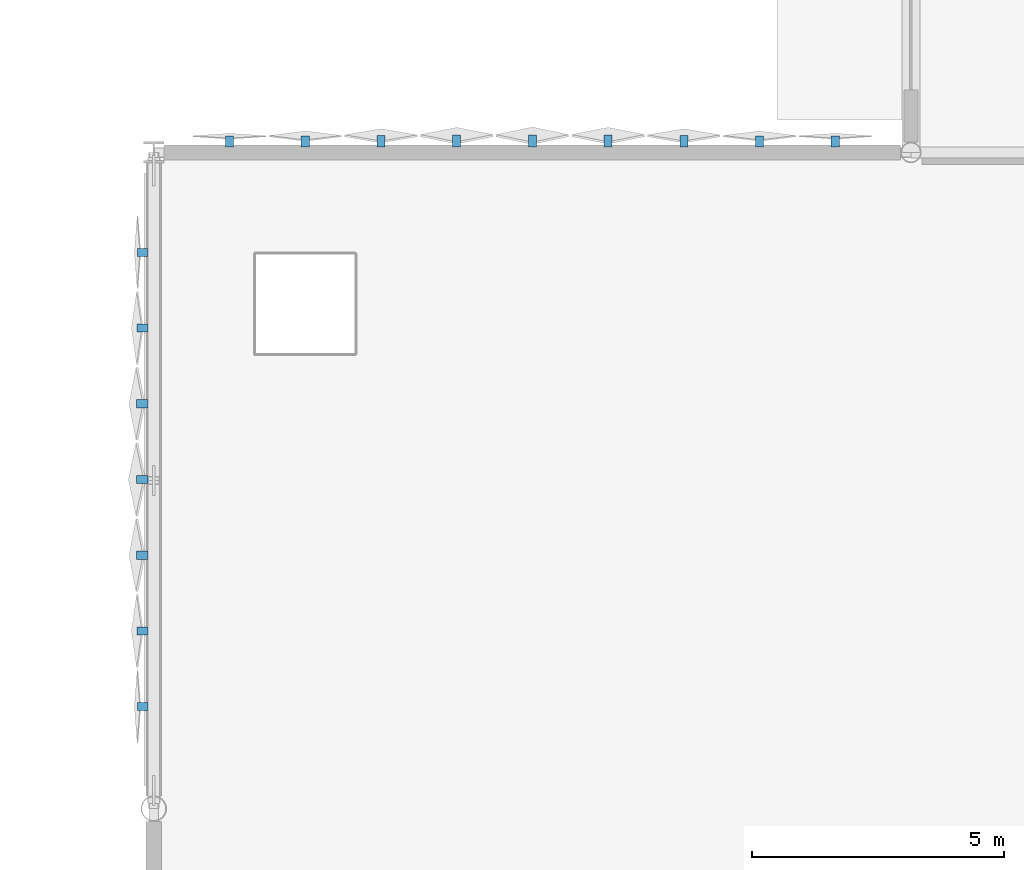
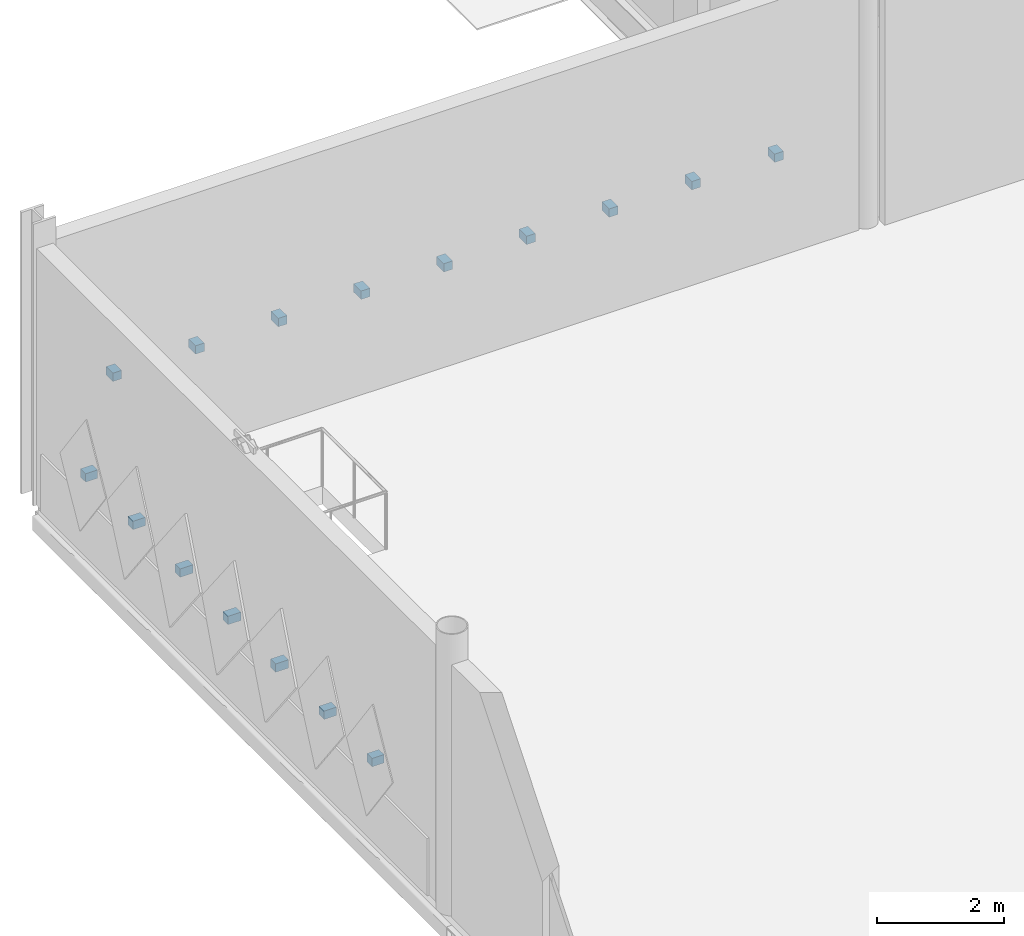
# One storey, part 71 of 94: 16 discrete accessories.
"""IFC4 building model written with IfcOpenShell, lengths in metres."""

from ifc_helpers import new_model, si_unit, direction, frame, origin, origin_2d, place, context, subcontext, project, spatial, rectangle, extrude, material, type_object, element, save


model = new_model("IFC4")

# Units and contexts
model_context = context("Model", 3, precision=1e-05, world=origin(), true_north=direction((0.0, 1.0)))
body_context = subcontext(model_context, "Body", "Model", "MODEL_VIEW")
ifc_project = project(units=[si_unit("LENGTHUNIT", "METRE"), si_unit("AREAUNIT", "SQUARE_METRE"), si_unit("VOLUMEUNIT", "CUBIC_METRE"), si_unit("PLANEANGLEUNIT", "RADIAN"), si_unit("MASSUNIT", "GRAM", prefix="KILO")], contexts=[model_context])

# Site, building, storey
site_placement = place(None, origin())
site = spatial("IfcSite", under=ifc_project, at=site_placement, CompositionType="ELEMENT")
building_placement = place(site_placement, origin())
building = spatial("IfcBuilding", under=site, at=building_placement, Name="Qamarlyn Nura Convention Centre", CompositionType="ELEMENT")
storey_placement = place(building_placement, origin())
storey = spatial("IfcBuildingStorey", under=building, at=storey_placement, Name="L00", CompositionType="ELEMENT", Elevation=0.0)

# Discrete accessories
ifc_material = material(Name="Marine Grade 316 stainless steel", Category="steel")
discrete_accessory_type = type_object("IfcDiscreteAccessoryType", Name="ACC-TILE-BRK", PredefinedType="BRACKET", material=ifc_material)
discrete_accessory_1_placement = place(storey_placement, frame((-0.217529296875, 92.020751953125, 1.6201171875), z_axis=(0.0, 0.0, 1.0), x_axis=(-1.0, 0.0, 0.0)))
element("IfcDiscreteAccessory", 1, at=discrete_accessory_1_placement, inside=storey, type_object=discrete_accessory_type, Name="L00 diamond tile pivot bracket 0006", PredefinedType="BRACKET", context=body_context, shape_type="SweptSolid", body=[
    extrude(rectangle(XDim=0.215087890625, YDim=0.159912109375, at=origin_2d()), origin(), (0.0, 0.0, 1.0), 0.159912109375),
])
discrete_accessory_2_placement = place(storey_placement, frame((-0.22119140625, 93.520751953125, 1.6201171875), z_axis=(0.0, 0.0, 1.0), x_axis=(-1.0, 0.0, 0.0)))
element("IfcDiscreteAccessory", 2, at=discrete_accessory_2_placement, inside=storey, type_object=discrete_accessory_type, Name="L00 diamond tile pivot bracket 0007", PredefinedType="BRACKET", context=body_context, shape_type="SweptSolid", body=[
    extrude(rectangle(XDim=0.222412109375, YDim=0.159912109375, at=origin_2d()), origin(), (0.0, 0.0, 1.0), 0.159912109375),
])
for number, where, z_axis, x_axis, name in (
    (3, (-0.2265625, 95.020751953125, 1.6201171875), (0.0, 0.0, 1.0), (-1.0, 0.0, 0.0), "L00 diamond tile pivot bracket 0008"),
    (4, (-0.2265625, 96.520751953125, 1.6201171875), (0.0, 0.0, 1.0), (-1.0, 0.0, 0.0), "L00 diamond tile pivot bracket 0009"),
    (5, (-0.2265625, 98.020751953125, 1.6201171875), (0.0, 0.0, 1.0), (-1.0, 0.0, 0.0), "L00 diamond tile pivot bracket 0010"),
):
    element("IfcDiscreteAccessory", number, at=place(storey_placement, frame(where, z_axis=z_axis, x_axis=x_axis)), inside=storey, type_object=discrete_accessory_type, Name=name, PredefinedType="BRACKET", context=body_context, shape_type="SweptSolid", body=[
        extrude(rectangle(XDim=0.23291015625, YDim=0.159912109375, at=origin_2d()), origin(), (0.0, 0.0, 1.0), 0.159912109375),
    ])
discrete_accessory_3_placement = place(storey_placement, frame((-0.22119140625, 99.520751953125, 1.6201171875), z_axis=(0.0, 0.0, 1.0), x_axis=(-1.0, 0.0, 0.0)))
element("IfcDiscreteAccessory", 6, at=discrete_accessory_3_placement, inside=storey, type_object=discrete_accessory_type, Name="L00 diamond tile pivot bracket 0011", PredefinedType="BRACKET", context=body_context, shape_type="SweptSolid", body=[
    extrude(rectangle(XDim=0.222412109375, YDim=0.159912109375, at=origin_2d()), origin(), (0.0, 0.0, 1.0), 0.159912109375),
])
for number, where, z_axis, x_axis, name in (
    (7, (-0.217529296875, 101.020751953125, 1.6201171875), (0.0, 0.0, 1.0), (-1.0, 0.0, 0.0), "L00 diamond tile pivot bracket 0012"),
    (8, (1.50048828125, 103.217529296875, 1.6201171875), (0.0, 0.0, 1.0), (0.0, 1.0, 0.0), "L00 diamond tile pivot bracket 0013"),
):
    element("IfcDiscreteAccessory", number, at=place(storey_placement, frame(where, z_axis=z_axis, x_axis=x_axis)), inside=storey, type_object=discrete_accessory_type, Name=name, PredefinedType="BRACKET", context=body_context, shape_type="SweptSolid", body=[
        extrude(rectangle(XDim=0.215087890625, YDim=0.159912109375, at=origin_2d()), origin(), (0.0, 0.0, 1.0), 0.159912109375),
    ])
discrete_accessory_4_placement = place(storey_placement, frame((3.00048828125, 103.2197265625, 1.6201171875), z_axis=(0.0, 0.0, 1.0), x_axis=(0.0, 1.0, 0.0)))
element("IfcDiscreteAccessory", 9, at=discrete_accessory_4_placement, inside=storey, type_object=discrete_accessory_type, Name="L00 diamond tile pivot bracket 0014", PredefinedType="BRACKET", context=body_context, shape_type="SweptSolid", body=[
    extrude(rectangle(XDim=0.219482421875, YDim=0.159912109375, at=origin_2d()), origin(), (0.0, 0.0, 1.0), 0.159912109375),
])
discrete_accessory_5_placement = place(storey_placement, frame((4.500732421875, 103.224365234375, 1.6201171875), z_axis=(0.0, 0.0, 1.0), x_axis=(0.0, 1.0, 0.0)))
element("IfcDiscreteAccessory", 10, at=discrete_accessory_5_placement, inside=storey, type_object=discrete_accessory_type, Name="L00 diamond tile pivot bracket 0015", PredefinedType="BRACKET", context=body_context, shape_type="SweptSolid", body=[
    extrude(rectangle(XDim=0.228515625, YDim=0.159912109375, at=origin_2d()), origin(), (0.0, 0.0, 1.0), 0.159912109375),
])
for number, where, z_axis, x_axis, name in (
    (11, (6.000732421875, 103.2265625, 1.6201171875), (0.0, 0.0, 1.0), (0.0, 1.0, 0.0), "L00 diamond tile pivot bracket 0016"),
    (12, (7.500732421875, 103.2265625, 1.6201171875), (0.0, 0.0, 1.0), (0.0, 1.0, 0.0), "L00 diamond tile pivot bracket 0017"),
    (13, (9.000732421875, 103.2265625, 1.6201171875), (0.0, 0.0, 1.0), (0.0, 1.0, 0.0), "L00 diamond tile pivot bracket 0018"),
):
    element("IfcDiscreteAccessory", number, at=place(storey_placement, frame(where, z_axis=z_axis, x_axis=x_axis)), inside=storey, type_object=discrete_accessory_type, Name=name, PredefinedType="BRACKET", context=body_context, shape_type="SweptSolid", body=[
        extrude(rectangle(XDim=0.23291015625, YDim=0.159912109375, at=origin_2d()), origin(), (0.0, 0.0, 1.0), 0.159912109375),
    ])
discrete_accessory_6_placement = place(storey_placement, frame((10.500732421875, 103.224365234375, 1.6201171875), z_axis=(0.0, 0.0, 1.0), x_axis=(0.0, 1.0, 0.0)))
element("IfcDiscreteAccessory", 14, at=discrete_accessory_6_placement, inside=storey, type_object=discrete_accessory_type, Name="L00 diamond tile pivot bracket 0019", PredefinedType="BRACKET", context=body_context, shape_type="SweptSolid", body=[
    extrude(rectangle(XDim=0.228515625, YDim=0.159912109375, at=origin_2d()), origin(), (0.0, 0.0, 1.0), 0.159912109375),
])
discrete_accessory_7_placement = place(storey_placement, frame((12.000732421875, 103.2197265625, 1.6201171875), z_axis=(0.0, 0.0, 1.0), x_axis=(0.0, 1.0, 0.0)))
element("IfcDiscreteAccessory", 15, at=discrete_accessory_7_placement, inside=storey, type_object=discrete_accessory_type, Name="L00 diamond tile pivot bracket 0020", PredefinedType="BRACKET", context=body_context, shape_type="SweptSolid", body=[
    extrude(rectangle(XDim=0.219482421875, YDim=0.159912109375, at=origin_2d()), origin(), (0.0, 0.0, 1.0), 0.159912109375),
])
discrete_accessory_8_placement = place(storey_placement, frame((13.500732421875, 103.217529296875, 1.6201171875), z_axis=(0.0, 0.0, 1.0), x_axis=(0.0, 1.0, 0.0)))
element("IfcDiscreteAccessory", 16, at=discrete_accessory_8_placement, inside=storey, type_object=discrete_accessory_type, Name="L00 diamond tile pivot bracket 0021", PredefinedType="BRACKET", context=body_context, shape_type="SweptSolid", body=[
    extrude(rectangle(XDim=0.215087890625, YDim=0.159912109375, at=origin_2d()), origin(), (0.0, 0.0, 1.0), 0.159912109375),
])

save(model, "model.ifc")
